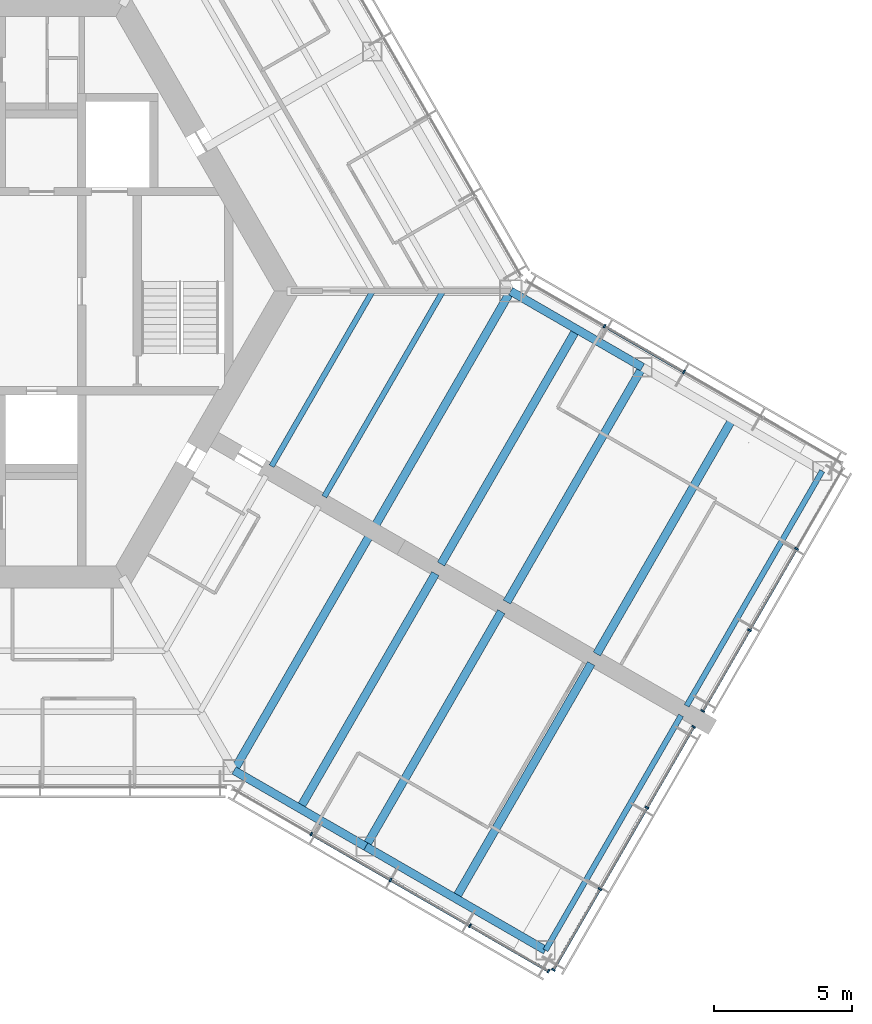
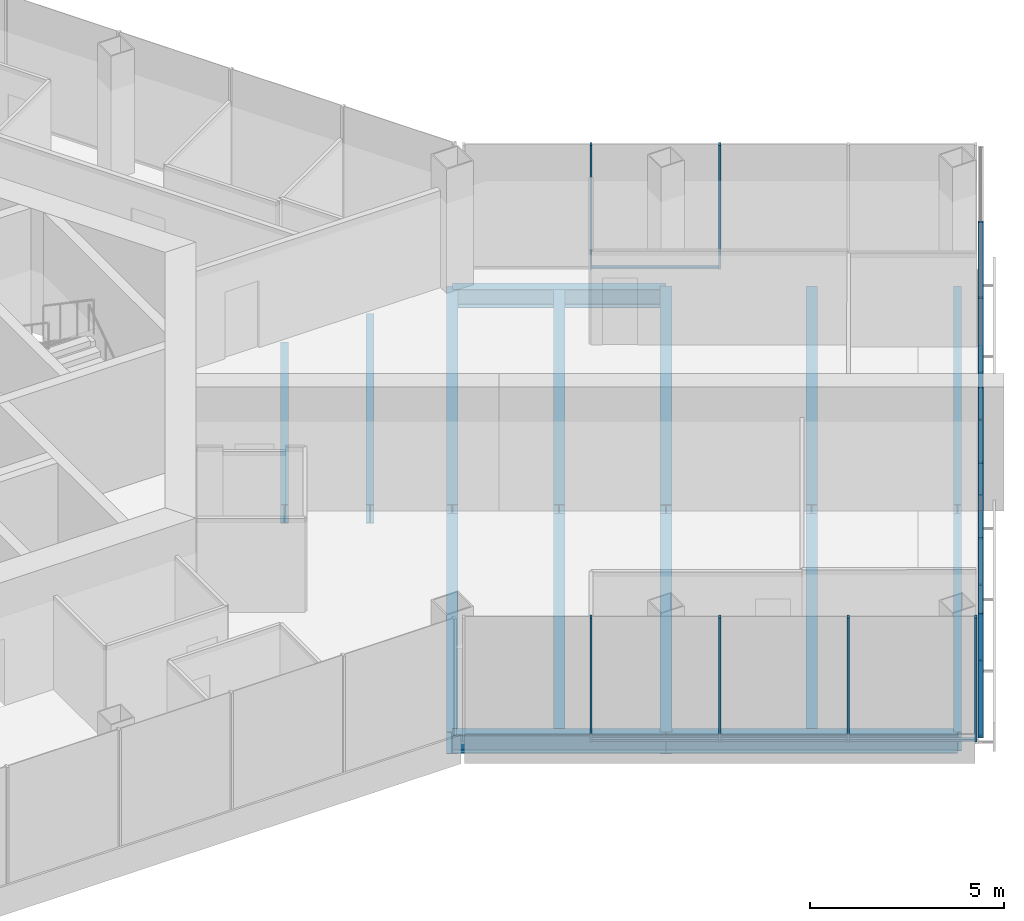
# One storey, part 4 of 17: 22 members, 15 beams, 4 elements without a shape of their own.
"""IFC4 building model written with IfcOpenShell, lengths in metres."""

from ifc_helpers import new_model, si_unit, direction, frame, origin, origin_2d, place, context, subcontext, project, spatial, rectangle, i_section, extrude, material, material_profile, profile_set, type_object, element, aggregate, save


model = new_model("IFC4")

# Units and contexts
model_context = context("Model", 3, precision=1e-05, world=origin(), true_north=direction((0.0, 1.0)))
body_context = subcontext(model_context, "Body", "Model", "MODEL_VIEW")
ifc_project = project(units=[si_unit("LENGTHUNIT", "METRE"), si_unit("AREAUNIT", "SQUARE_METRE"), si_unit("VOLUMEUNIT", "CUBIC_METRE"), si_unit("PLANEANGLEUNIT", "RADIAN"), si_unit("MASSUNIT", "GRAM", prefix="KILO")], contexts=[model_context])

# Site, building, storey
site_placement = place(None, origin())
site = spatial("IfcSite", under=ifc_project, at=site_placement, CompositionType="ELEMENT")
building_placement = place(site_placement, origin())
building = spatial("IfcBuilding", under=site, at=building_placement, Name="Kasaneha Research Tower", CompositionType="ELEMENT")
storey_placement = place(building_placement, frame((0.0, 0.0, 232.300048828125)))
storey = spatial("IfcBuildingStorey", under=building, at=storey_placement, Name="L58", CompositionType="ELEMENT", Elevation=232.300048828125)

# Beams
ifc_material_1 = material(Name="Steel SN490B", Category="steel")
ifc_material_profile_1 = material_profile(ifc_material_1, i_section(OverallWidth=0.199951171875, OverallDepth=0.60009765625, WebThickness=0.010986328125, FlangeThickness=0.01708984375, FilletRadius=0.012939453125, at=origin_2d()), Name="H-600x200x11x17")
ifc_profile_set_1 = profile_set([ifc_material_profile_1], Name="Steel SN490B")
beam_type_1 = type_object("IfcBeamType", Name="B1-3 secondary beam H-600x200x11x17", PredefinedType="JOIST", material=ifc_profile_set_1)
beam_1_placement = place(storey_placement, frame((15.010986328125, 0.0, -0.449951171875), z_axis=(-0.499974128195, -0.866040340363, 0.0), x_axis=(0.866040340363, -0.499974128195, 0.0)))
element("IfcBeam", 1, at=beam_1_placement, inside=storey, type_object=beam_type_1, Name="Secondary beam RS330R1 L58", PredefinedType="JOIST", context=body_context, shape_type="SweptSolid", body=[
    extrude(i_section(OverallWidth=0.199951171875, OverallDepth=0.60009765625, WebThickness=0.010986328125, FlangeThickness=0.01708984375, FilletRadius=0.012939453125, at=origin_2d()), origin(), (0.0, 0.0, 1.0), 7.3056640625),
])
beam_2_placement = place(storey_placement, frame((17.551513671875, 0.0, -0.449951171875), z_axis=(-0.500000102728, -0.866025344474, 0.0), x_axis=(0.866025344474, -0.500000102728, 0.0)))
element("IfcBeam", 2, at=beam_2_placement, inside=storey, type_object=beam_type_1, Name="Secondary beam RS330R2 L58", PredefinedType="JOIST", context=body_context, shape_type="SweptSolid", body=[
    extrude(i_section(OverallWidth=0.199951171875, OverallDepth=0.60009765625, WebThickness=0.010986328125, FlangeThickness=0.01708984375, FilletRadius=0.012939453125, at=origin_2d()), origin(), (0.0, 0.0, 1.0), 8.57568359375),
])
ifc_material_2 = material(Name="Steel SN490B", Category="steel")
ifc_material_profile_2 = material_profile(ifc_material_2, i_section(OverallWidth=0.300048828125, OverallDepth=0.58203125, WebThickness=0.011962890625, FlangeThickness=0.01708984375, FilletRadius=0.012939453125, at=origin_2d()), Name="H-582x300x12x17")
ifc_profile_set_2 = profile_set([ifc_material_profile_2], Name="Steel SN490B")
beam_type_2 = type_object("IfcBeamType", Name="B2-3 secondary beam H-582x300x12x17", PredefinedType="JOIST", material=ifc_profile_set_2)
for number, where, z_axis, x_axis, name in (
    (3, (12.381591796875, -18.695556640625, -0.441162109375), (0.49999201416, 0.866030014362, 0.0), (-0.866030014362, 0.49999201416, 0.0), "Secondary beam WBCP1 L58"),
    (4, (18.0107421875, -21.945556640625, -0.441162109375), (0.49999201416, 0.866030014362, 0.0), (-0.866030014362, 0.49999201416, 0.0), "Secondary beam WBCP2 L58"),
    (5, (22.381591796875, -1.375, -0.441162109375), (-0.49999201416, -0.866030014362, 0.0), (0.866030014362, -0.49999201416, 0.0), "Secondary beam WBCN1 L58"),
    (6, (28.0107421875, -4.625, -0.441162109375), (-0.49999201416, -0.866030014362, 0.0), (0.866030014362, -0.49999201416, 0.0), "Secondary beam WBCN2 L58"),
):
    element("IfcBeam", number, at=place(storey_placement, frame(where, z_axis=z_axis, x_axis=x_axis)), inside=storey, type_object=beam_type_2, Name=name, PredefinedType="JOIST", context=body_context, shape_type="SweptSolid", body=[
        extrude(i_section(OverallWidth=0.300048828125, OverallDepth=0.58203125, WebThickness=0.011962890625, FlangeThickness=0.01708984375, FilletRadius=0.012939453125, at=origin_2d()), origin(), (0.0, 0.0, 1.0), 9.800048828125),
    ])

# Curtain wall, members
ifc_material_3 = material(Name="Glass and aluminium", Category="aluminium")
curtain_wall_type = type_object("IfcCurtainWallType", Name="High-rise office curtain wall", PredefinedType="USERDEFINED", material=ifc_material_3)
curtain_wall_1_placement = place(storey_placement, origin())
curtain_wall_1 = element("IfcCurtainWall", 7, at=curtain_wall_1_placement, inside=storey, type_object=curtain_wall_type, Name="CW-O3 L58 run 06a", ObjectType="UNITISED CURTAIN WALL", PredefinedType="USERDEFINED")
ifc_material_4 = material(Name="Aluminium 6063-T6", Category="aluminium")
ifc_material_profile_3 = material_profile(ifc_material_4, rectangle(XDim=0.06005859375, YDim=0.139892578125, at=origin_2d()), Name="CW-O3 mullion 60x140")
ifc_profile_set_3 = profile_set([ifc_material_profile_3], Name="Aluminium 6063-T6")
member_type_1 = type_object("IfcMemberType", Name="CW-O3 mullion", PredefinedType="MULLION", material=ifc_profile_set_3)
member_1_placement = place(storey_placement, frame((12.792236328125, -19.62548828125, 0.0), z_axis=(0.0, 0.0, 1.0), x_axis=(0.866025411464, -0.499999986699, 0.0)))
member_1 = element("IfcMember", 8, at=member_1_placement, type_object=member_type_1, Name="CW-O3 mullion 2", PredefinedType="MULLION", context=body_context, shape_type="SweptSolid", body=[
    extrude(rectangle(XDim=0.06005859375, YDim=0.139892578125, at=origin_2d()), origin(), (0.0, 0.0, 1.0), 3.89990234375),
])
member_2_placement = place(storey_placement, frame((15.65869140625, -21.2802734375, 0.0), z_axis=(0.0, 0.0, 1.0), x_axis=(0.866025411464, -0.499999986699, 0.0)))
member_2 = element("IfcMember", 9, at=member_2_placement, type_object=member_type_1, Name="CW-O3 mullion 3", PredefinedType="MULLION", context=body_context, shape_type="SweptSolid", body=[
    extrude(rectangle(XDim=0.06005859375, YDim=0.139892578125, at=origin_2d()), origin(), (0.0, 0.0, 1.0), 3.89990234375),
])
member_3_placement = place(storey_placement, frame((18.52490234375, -22.935302734375, 0.0), z_axis=(0.0, 0.0, 1.0), x_axis=(0.866025411464, -0.499999986699, 0.0)))
member_3 = element("IfcMember", 10, at=member_3_placement, type_object=member_type_1, Name="CW-O3 mullion 4", PredefinedType="MULLION", context=body_context, shape_type="SweptSolid", body=[
    extrude(rectangle(XDim=0.06005859375, YDim=0.139892578125, at=origin_2d()), origin(), (0.0, 0.0, 1.0), 3.89990234375),
])
member_4_placement = place(storey_placement, frame((21.365478515625, -24.5751953125, 0.0), z_axis=(0.0, 0.0, 1.0), x_axis=(0.866025411464, -0.499999986699, 0.0)))
member_4 = element("IfcMember", 11, at=member_4_placement, type_object=member_type_1, Name="CW-O3 mullion 5", PredefinedType="MULLION", context=body_context, shape_type="SweptSolid", body=[
    extrude(rectangle(XDim=0.06005859375, YDim=0.139892578125, at=origin_2d()), origin(), (0.0, 0.0, 1.0), 3.89990234375),
])

curtain_wall_2_placement = place(storey_placement, origin())
curtain_wall_2 = element("IfcCurtainWall", 12, at=curtain_wall_2_placement, inside=storey, type_object=curtain_wall_type, Name="CW-O3 L58 run 07a", ObjectType="UNITISED CURTAIN WALL", PredefinedType="USERDEFINED")
member_5_placement = place(storey_placement, frame((21.54296875, -24.527587890625, 0.0), z_axis=(0.0, 0.0, 1.0), x_axis=(0.500000011442, 0.866025397178, 0.0)))
member_5 = element("IfcMember", 13, at=member_5_placement, type_object=member_type_1, Name="CW-O3 mullion 1", PredefinedType="MULLION", context=body_context, shape_type="SweptSolid", body=[
    extrude(rectangle(XDim=0.06005859375, YDim=0.139892578125, at=origin_2d()), origin(), (0.0, 0.0, 1.0), 3.89990234375),
])
member_6_placement = place(storey_placement, frame((23.22802734375, -21.609130859375, 0.0), z_axis=(0.0, 0.0, 1.0), x_axis=(0.500000011442, 0.866025397178, 0.0)))
member_6 = element("IfcMember", 14, at=member_6_placement, type_object=member_type_1, Name="CW-O3 mullion 2", PredefinedType="MULLION", context=body_context, shape_type="SweptSolid", body=[
    extrude(rectangle(XDim=0.06005859375, YDim=0.139892578125, at=origin_2d()), origin(), (0.0, 0.0, 1.0), 3.89990234375),
])
member_7_placement = place(storey_placement, frame((24.927978515625, -18.66455078125, 0.0), z_axis=(0.0, 0.0, 1.0), x_axis=(0.500000011442, 0.866025397178, 0.0)))
member_7 = element("IfcMember", 15, at=member_7_placement, type_object=member_type_1, Name="CW-O3 mullion 3", PredefinedType="MULLION", context=body_context, shape_type="SweptSolid", body=[
    extrude(rectangle(XDim=0.06005859375, YDim=0.139892578125, at=origin_2d()), origin(), (0.0, 0.0, 1.0), 3.89990234375),
])
member_8_placement = place(storey_placement, frame((26.613037109375, -15.74609375, 0.0), z_axis=(0.0, 0.0, 1.0), x_axis=(0.500000011442, 0.866025397178, 0.0)))
member_8 = element("IfcMember", 16, at=member_8_placement, type_object=member_type_1, Name="CW-O3 mullion 4", PredefinedType="MULLION", context=body_context, shape_type="SweptSolid", body=[
    extrude(rectangle(XDim=0.06005859375, YDim=0.139892578125, at=origin_2d()), origin(), (0.0, 0.0, 1.0), 3.89990234375),
])

curtain_wall_3_placement = place(storey_placement, origin())
curtain_wall_3 = element("IfcCurtainWall", 17, at=curtain_wall_3_placement, inside=storey, type_object=curtain_wall_type, Name="CW-O3 L58 run 08a", ObjectType="UNITISED CURTAIN WALL", PredefinedType="USERDEFINED")
member_9_placement = place(storey_placement, frame((26.94287109375, -15.174560546875, 0.0), z_axis=(0.0, 0.0, 1.0), x_axis=(0.500000011442, 0.866025397178, 0.0)))
member_9 = element("IfcMember", 18, at=member_9_placement, type_object=member_type_1, Name="CW-O3 mullion 1", PredefinedType="MULLION", context=body_context, shape_type="SweptSolid", body=[
    extrude(rectangle(XDim=0.06005859375, YDim=0.139892578125, at=origin_2d()), origin(), (0.0, 0.0, 1.0), 3.89990234375),
])
member_10_placement = place(storey_placement, frame((28.6279296875, -12.255859375, 0.0), z_axis=(0.0, 0.0, 1.0), x_axis=(0.500000011442, 0.866025397178, 0.0)))
member_10 = element("IfcMember", 19, at=member_10_placement, type_object=member_type_1, Name="CW-O3 mullion 2", PredefinedType="MULLION", context=body_context, shape_type="SweptSolid", body=[
    extrude(rectangle(XDim=0.06005859375, YDim=0.139892578125, at=origin_2d()), origin(), (0.0, 0.0, 1.0), 3.89990234375),
])
member_11_placement = place(storey_placement, frame((30.327880859375, -9.3115234375, 0.0), z_axis=(0.0, 0.0, 1.0), x_axis=(0.500000011442, 0.866025397178, 0.0)))
member_11 = element("IfcMember", 20, at=member_11_placement, type_object=member_type_1, Name="CW-O3 mullion 3", PredefinedType="MULLION", context=body_context, shape_type="SweptSolid", body=[
    extrude(rectangle(XDim=0.06005859375, YDim=0.139892578125, at=origin_2d()), origin(), (0.0, 0.0, 1.0), 3.89990234375),
])

curtain_wall_4_placement = place(storey_placement, origin())
curtain_wall_4 = element("IfcCurtainWall", 21, at=curtain_wall_4_placement, inside=storey, type_object=curtain_wall_type, Name="CW-O3 L58 run 09a", ObjectType="UNITISED CURTAIN WALL", PredefinedType="USERDEFINED")
member_12_placement = place(storey_placement, frame((26.258544921875, -2.920654296875, 0.0), z_axis=(0.0, 0.0, 1.0), x_axis=(-0.866025411464, 0.499999986699, 0.0)))
member_12 = element("IfcMember", 22, at=member_12_placement, type_object=member_type_1, Name="CW-O3 mullion 3", PredefinedType="MULLION", context=body_context, shape_type="SweptSolid", body=[
    extrude(rectangle(XDim=0.06005859375, YDim=0.139892578125, at=origin_2d()), origin(), (0.0, 0.0, 1.0), 3.89990234375),
])
member_13_placement = place(storey_placement, frame((23.39208984375, -1.265625, 0.0), z_axis=(0.0, 0.0, 1.0), x_axis=(-0.866025411464, 0.499999986699, 0.0)))
member_13 = element("IfcMember", 23, at=member_13_placement, type_object=member_type_1, Name="CW-O3 mullion 4", PredefinedType="MULLION", context=body_context, shape_type="SweptSolid", body=[
    extrude(rectangle(XDim=0.06005859375, YDim=0.139892578125, at=origin_2d()), origin(), (0.0, 0.0, 1.0), 3.89990234375),
])

# Member
ifc_material_5 = material(Name="Aluminium 6063-T6", Category="aluminium")
ifc_material_profile_4 = material_profile(ifc_material_5, rectangle(XDim=0.10009765625, YDim=0.06005859375, at=origin_2d()), Name="CW-O3 transom 100x60")
ifc_profile_set_4 = profile_set([ifc_material_profile_4], Name="Aluminium 6063-T6")
member_type_2 = type_object("IfcMemberType", Name="CW-O3 transom", PredefinedType="USERDEFINED", material=ifc_profile_set_4)
member_14_placement = place(storey_placement, frame((12.818115234375, -19.640380859375, 0.030029296875), z_axis=(0.866015446554, -0.500017246033, 0.0), x_axis=(0.500017246033, 0.866015446554, 0.0)))
member_14 = element("IfcMember", 24, at=member_14_placement, type_object=member_type_2, Name="CW-O3 transom 2", ObjectType="TRANSOM", PredefinedType="USERDEFINED", context=body_context, shape_type="SweptSolid", body=[
    extrude(rectangle(XDim=0.10009765625, YDim=0.06005859375, at=origin_2d()), origin(), (0.0, 0.0, 1.0), 3.25),
])

member_15_placement = place(storey_placement, frame((15.6845703125, -21.29541015625, 0.030029296875), z_axis=(0.86604797581, -0.499960902066, 0.0), x_axis=(0.499960902066, 0.86604797581, 0.0)))
member_15 = element("IfcMember", 25, at=member_15_placement, type_object=member_type_2, Name="CW-O3 transom 3", ObjectType="TRANSOM", PredefinedType="USERDEFINED", context=body_context, shape_type="SweptSolid", body=[
    extrude(rectangle(XDim=0.10009765625, YDim=0.06005859375, at=origin_2d()), origin(), (0.0, 0.0, 1.0), 3.249755859375),
])

member_16_placement = place(storey_placement, frame((18.551025390625, -22.9501953125, 0.030029296875), z_axis=(0.866022692473, -0.500004696101, 0.0), x_axis=(0.500004696101, 0.866022692473, 0.0)))
member_16 = element("IfcMember", 26, at=member_16_placement, type_object=member_type_2, Name="CW-O3 transom 4", ObjectType="TRANSOM", PredefinedType="USERDEFINED", context=body_context, shape_type="SweptSolid", body=[
    extrude(rectangle(XDim=0.10009765625, YDim=0.06005859375, at=origin_2d()), origin(), (0.0, 0.0, 1.0), 3.2197265625),
])

aggregate(curtain_wall_1, [member_1, member_2, member_3, member_4, member_14, member_15, member_16])

member_17_placement = place(storey_placement, frame((21.557861328125, -24.50146484375, 0.030029296875), z_axis=(0.500018282537, 0.866014848099, 0.0), x_axis=(-0.866014848099, 0.500018282537, 0.0)))
member_17 = element("IfcMember", 27, at=member_17_placement, type_object=member_type_2, Name="CW-O3 transom 1", ObjectType="TRANSOM", PredefinedType="USERDEFINED", context=body_context, shape_type="SweptSolid", body=[
    extrude(rectangle(XDim=0.10009765625, YDim=0.06005859375, at=origin_2d()), origin(), (0.0, 0.0, 1.0), 3.31005859375),
])

member_18_placement = place(storey_placement, frame((23.242919921875, -21.5830078125, 0.030029296875), z_axis=(0.499975549825, 0.866039519639, 0.0), x_axis=(-0.866039519639, 0.499975549825, 0.0)))
member_18 = element("IfcMember", 28, at=member_18_placement, type_object=member_type_2, Name="CW-O3 transom 2", ObjectType="TRANSOM", PredefinedType="USERDEFINED", context=body_context, shape_type="SweptSolid", body=[
    extrude(rectangle(XDim=0.10009765625, YDim=0.06005859375, at=origin_2d()), origin(), (0.0, 0.0, 1.0), 3.340087890625),
])

member_19_placement = place(storey_placement, frame((24.94287109375, -18.638671875, 0.030029296875), z_axis=(0.49998634449, 0.866033287653, 0.0), x_axis=(-0.866033287653, 0.49998634449, 0.0)))
member_19 = element("IfcMember", 29, at=member_19_placement, type_object=member_type_2, Name="CW-O3 transom 3", ObjectType="TRANSOM", PredefinedType="USERDEFINED", context=body_context, shape_type="SweptSolid", body=[
    extrude(rectangle(XDim=0.10009765625, YDim=0.06005859375, at=origin_2d()), origin(), (0.0, 0.0, 1.0), 3.31005859375),
])

aggregate(curtain_wall_2, [member_5, member_6, member_7, member_8, member_17, member_18, member_19])

member_20_placement = place(storey_placement, frame((26.9580078125, -15.1484375, 0.030029296875), z_axis=(0.500018282537, 0.866014848099, 0.0), x_axis=(-0.866014848099, 0.500018282537, 0.0)))
member_20 = element("IfcMember", 30, at=member_20_placement, type_object=member_type_2, Name="CW-O3 transom 1", ObjectType="TRANSOM", PredefinedType="USERDEFINED", context=body_context, shape_type="SweptSolid", body=[
    extrude(rectangle(XDim=0.10009765625, YDim=0.06005859375, at=origin_2d()), origin(), (0.0, 0.0, 1.0), 3.31005859375),
])

member_21_placement = place(storey_placement, frame((28.64306640625, -12.22998046875, 0.030029296875), z_axis=(0.499975549825, 0.866039519639, 0.0), x_axis=(-0.866039519639, 0.499975549825, 0.0)))
member_21 = element("IfcMember", 31, at=member_21_placement, type_object=member_type_2, Name="CW-O3 transom 2", ObjectType="TRANSOM", PredefinedType="USERDEFINED", context=body_context, shape_type="SweptSolid", body=[
    extrude(rectangle(XDim=0.10009765625, YDim=0.06005859375, at=origin_2d()), origin(), (0.0, 0.0, 1.0), 3.340087890625),
])

aggregate(curtain_wall_3, [member_9, member_10, member_11, member_20, member_21])

member_22_placement = place(storey_placement, frame((26.232666015625, -2.905517578125, 0.030029296875), z_axis=(-0.86604797581, 0.499960902066, 0.0), x_axis=(-0.499960902066, -0.86604797581, 0.0)))
member_22 = element("IfcMember", 32, at=member_22_placement, type_object=member_type_2, Name="CW-O3 transom 3", ObjectType="TRANSOM", PredefinedType="USERDEFINED", context=body_context, shape_type="SweptSolid", body=[
    extrude(rectangle(XDim=0.10009765625, YDim=0.06005859375, at=origin_2d()), origin(), (0.0, 0.0, 1.0), 3.249755859375),
])

aggregate(curtain_wall_4, [member_12, member_13, member_22])

# Beams
ifc_material_6 = material(Name="Steel SN490B", Category="steel")
ifc_material_profile_5 = material_profile(ifc_material_6, i_section(OverallWidth=0.300048828125, OverallDepth=0.69189453125, WebThickness=0.012939453125, FlangeThickness=0.02001953125, FilletRadius=0.01806640625, at=origin_2d()), Name="H-692x300x13x20")
ifc_profile_set_5 = profile_set([ifc_material_profile_5], Name="Steel SN490B")
beam_type_3 = type_object("IfcBeamType", Name="G3-3 plate edge girder H-692x300x13x20", PredefinedType="BEAM", material=ifc_profile_set_5)
for number, where, z_axis, x_axis, name in (
    (33, (10.0, -17.320556640625, -0.49609375), (0.49999201416, 0.866030014362, 0.0), (-0.866030014362, 0.49999201416, 0.0), "Plate edge girder PECP L58"),
    (34, (20.0, 0.0, -0.49609375), (-0.49999201416, -0.866030014362, 0.0), (0.866030014362, -0.49999201416, 0.0), "Plate edge girder PECN L58"),
):
    element("IfcBeam", number, at=place(storey_placement, frame(where, z_axis=z_axis, x_axis=x_axis)), inside=storey, type_object=beam_type_3, Name=name, PredefinedType="BEAM", context=body_context, shape_type="SweptSolid", body=[
        extrude(i_section(OverallWidth=0.300048828125, OverallDepth=0.69189453125, WebThickness=0.012939453125, FlangeThickness=0.02001953125, FilletRadius=0.01806640625, at=origin_2d()), origin(), (0.0, 0.0, 1.0), 9.800048828125),
    ])
ifc_material_7 = material(Name="Steel SN490B", Category="steel")
ifc_material_profile_6 = material_profile(ifc_material_7, i_section(OverallWidth=0.300048828125, OverallDepth=0.699951171875, WebThickness=0.012939453125, FlangeThickness=0.02392578125, FilletRadius=0.01806640625, at=origin_2d()), Name="H-700x300x13x24")
ifc_profile_set_6 = profile_set([ifc_material_profile_6], Name="Steel SN490B")
beam_type_4 = type_object("IfcBeamType", Name="G4-3 wing girder H-700x300x13x24", PredefinedType="BEAM", material=ifc_profile_set_6)
for number, where, z_axis, x_axis, name in (
    (35, (14.76318359375, -20.070556640625, -0.5), (0.49999201416, 0.866030014362, 0.0), (-0.866030014362, 0.49999201416, 0.0), "Wing girder WGCP L58"),
    (36, (24.76318359375, -2.75, -0.5), (-0.500010698315, -0.866019227021, 0.0), (0.866019227021, -0.500010698315, 0.0), "Wing girder WGCN L58"),
):
    element("IfcBeam", number, at=place(storey_placement, frame(where, z_axis=z_axis, x_axis=x_axis)), inside=storey, type_object=beam_type_4, Name=name, PredefinedType="BEAM", context=body_context, shape_type="SweptSolid", body=[
        extrude(i_section(OverallWidth=0.300048828125, OverallDepth=0.699951171875, WebThickness=0.012939453125, FlangeThickness=0.02392578125, FilletRadius=0.01806640625, at=origin_2d()), origin(), (0.0, 0.0, 1.0), 9.800048828125),
    ])
ifc_material_8 = material(Name="Steel SN490B", Category="steel")
ifc_material_profile_7 = material_profile(ifc_material_8, i_section(OverallWidth=0.300048828125, OverallDepth=0.58203125, WebThickness=0.011962890625, FlangeThickness=0.01708984375, FilletRadius=0.012939453125, at=origin_2d()), Name="H-582x300x12x17")
ifc_profile_set_7 = profile_set([ifc_material_profile_7], Name="Steel SN490B")
beam_type_5 = type_object("IfcBeamType", Name="SB2-3 spandrel beam H-582x300x12x17", PredefinedType="SPANDREL", material=ifc_profile_set_7)
beam_3_placement = place(storey_placement, frame((10.0, -17.320556640625, -0.441162109375), z_axis=(0.866027397988, -0.499996545922, 0.0), x_axis=(0.499996545922, 0.866027397988, 0.0)))
element("IfcBeam", 37, at=beam_3_placement, inside=storey, type_object=beam_type_5, Name="Spandrel beam WSCP1 L58", PredefinedType="SPANDREL", context=body_context, shape_type="SweptSolid", body=[
    extrude(i_section(OverallWidth=0.300048828125, OverallDepth=0.58203125, WebThickness=0.011962890625, FlangeThickness=0.01708984375, FilletRadius=0.012939453125, at=origin_2d()), origin(), (0.0, 0.0, 1.0), 5.5),
])
beam_4_placement = place(storey_placement, frame((14.76318359375, -20.070556640625, -0.441162109375), z_axis=(0.866022959057, -0.500004234368, 0.0), x_axis=(0.500004234368, 0.866022959057, 0.0)))
element("IfcBeam", 38, at=beam_4_placement, inside=storey, type_object=beam_type_5, Name="Spandrel beam WSCP2 L58", PredefinedType="SPANDREL", context=body_context, shape_type="SweptSolid", body=[
    extrude(i_section(OverallWidth=0.300048828125, OverallDepth=0.58203125, WebThickness=0.011962890625, FlangeThickness=0.01708984375, FilletRadius=0.012939453125, at=origin_2d()), origin(), (0.0, 0.0, 1.0), 7.5),
])
beam_5_placement = place(storey_placement, frame((20.0, 0.0, -0.441162109375), z_axis=(0.866027397988, -0.499996545922, 0.0), x_axis=(0.499996545922, 0.866027397988, 0.0)))
element("IfcBeam", 39, at=beam_5_placement, inside=storey, type_object=beam_type_5, Name="Spandrel beam WSCN1 L58", PredefinedType="SPANDREL", context=body_context, shape_type="SweptSolid", body=[
    extrude(i_section(OverallWidth=0.300048828125, OverallDepth=0.58203125, WebThickness=0.011962890625, FlangeThickness=0.01708984375, FilletRadius=0.012939453125, at=origin_2d()), origin(), (0.0, 0.0, 1.0), 5.5),
])
ifc_material_9 = material(Name="Steel SN490B", Category="steel")
ifc_material_profile_8 = material_profile(ifc_material_9, i_section(OverallWidth=0.199951171875, OverallDepth=0.60009765625, WebThickness=0.010986328125, FlangeThickness=0.01708984375, FilletRadius=0.012939453125, at=origin_2d()), Name="H-600x200x11x17")
ifc_profile_set_8 = profile_set([ifc_material_profile_8], Name="Steel SN490B")
beam_type_6 = type_object("IfcBeamType", Name="SB3-3 spandrel beam H-600x200x11x17", PredefinedType="SPANDREL", material=ifc_profile_set_8)
for number, where, z_axis, x_axis, name in (
    (40, (21.25830078125, -23.820556640625, -0.449951171875), (0.500010698315, 0.866019227021, 0.0), (-0.866019227021, 0.500010698315, 0.0), "Spandrel beam WTCP L58"),
    (41, (31.25830078125, -6.5, -0.449951171875), (-0.49999201416, -0.866030014362, 0.0), (0.866030014362, -0.49999201416, 0.0), "Spandrel beam WTCN L58"),
):
    element("IfcBeam", number, at=place(storey_placement, frame(where, z_axis=z_axis, x_axis=x_axis)), inside=storey, type_object=beam_type_6, Name=name, PredefinedType="SPANDREL", context=body_context, shape_type="SweptSolid", body=[
        extrude(i_section(OverallWidth=0.199951171875, OverallDepth=0.60009765625, WebThickness=0.010986328125, FlangeThickness=0.01708984375, FilletRadius=0.012939453125, at=origin_2d()), origin(), (0.0, 0.0, 1.0), 9.800048828125),
    ])

save(model, "model.ifc")
